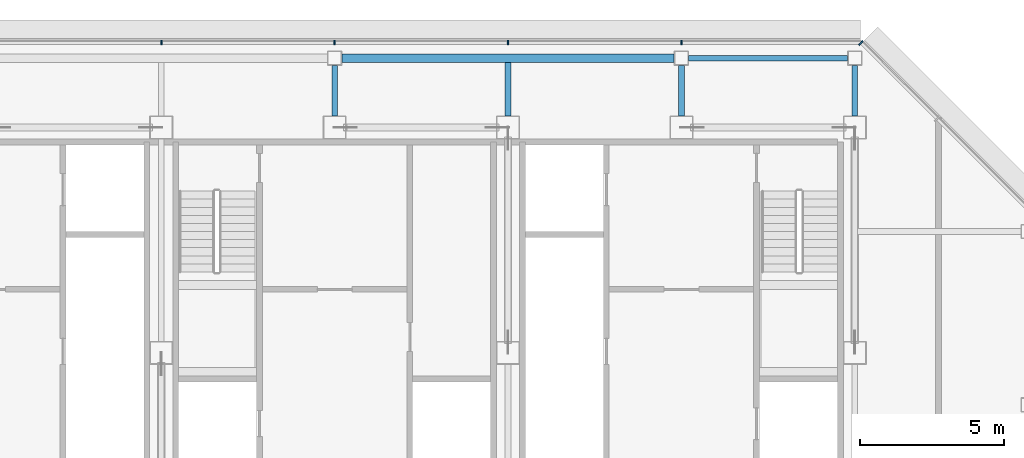
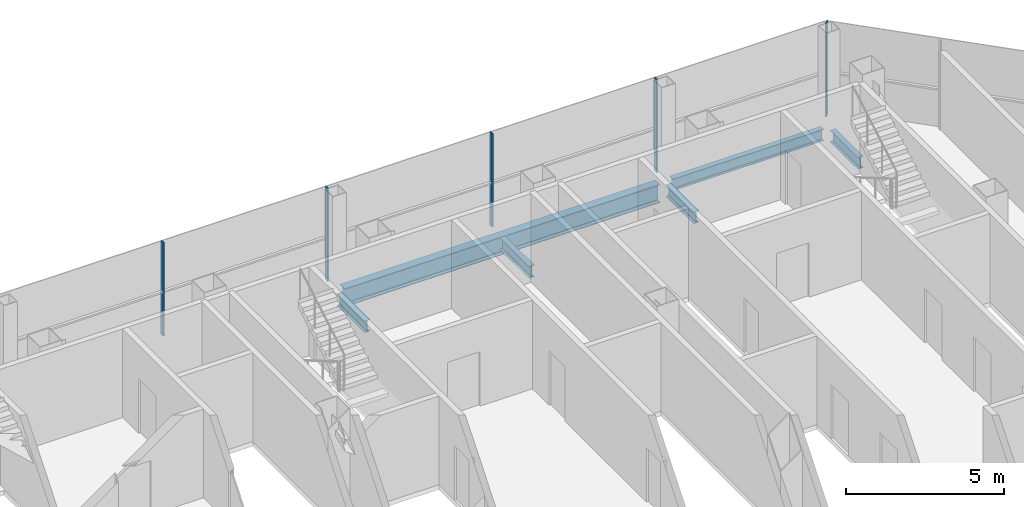
# One storey, part 16 of 27: 6 beams, 5 members, 2 elements without a shape of their own.
"""IFC4 building model written with IfcOpenShell, lengths in metres."""

from ifc_helpers import new_model, si_unit, direction, frame, origin, origin_2d, place, context, subcontext, project, spatial, rectangle, i_section, extrude, material, material_profile, profile_set, type_object, element, aggregate, save


model = new_model("IFC4")

# Units and contexts
model_context = context("Model", 3, precision=1e-05, world=origin(), true_north=direction((0.0, 1.0)))
body_context = subcontext(model_context, "Body", "Model", "MODEL_VIEW")
ifc_project = project(units=[si_unit("LENGTHUNIT", "METRE"), si_unit("AREAUNIT", "SQUARE_METRE"), si_unit("VOLUMEUNIT", "CUBIC_METRE"), si_unit("PLANEANGLEUNIT", "RADIAN"), si_unit("MASSUNIT", "GRAM", prefix="KILO")], contexts=[model_context])

# Site, building, storey
site_placement = place(None, origin())
site = spatial("IfcSite", under=ifc_project, at=site_placement, CompositionType="ELEMENT")
building_placement = place(site_placement, origin())
building = spatial("IfcBuilding", under=site, at=building_placement, Name="Sorahane Residences", CompositionType="ELEMENT")
storey_placement = place(building_placement, frame((0.0, 0.0, 323.199951171875)))
storey = spatial("IfcBuildingStorey", under=building, at=storey_placement, Name="L77", CompositionType="ELEMENT", Elevation=323.199951171875)

# Curtain wall, members
ifc_material_1 = material(Name="Dark low-e glass and black anodised aluminium", Category="aluminium")
curtain_wall_type_1 = type_object("IfcCurtainWallType", Name="Curtain wall CW-1 Typical unitised wall", PredefinedType="NOTDEFINED", material=ifc_material_1)
curtain_wall_1_placement = place(storey_placement, origin())
curtain_wall_1 = element("IfcCurtainWall", 1, at=curtain_wall_1_placement, inside=storey, type_object=curtain_wall_type_1, Name="CW-1 curtain wall L77 N1", PredefinedType="NOTDEFINED")
ifc_material_2 = material(Name="Black anodised aluminium", Category="aluminium")
ifc_material_profile_1 = material_profile(ifc_material_2, rectangle(XDim=0.159912109375, YDim=0.050048828125, at=origin_2d()), Name="Curtain wall mullion CW-1 black anodised aluminium 50x160")
ifc_profile_set_1 = profile_set([ifc_material_profile_1], Name="Black anodised aluminium")
member_type_1 = type_object("IfcMemberType", Name="Curtain wall mullion CW-1 black anodised aluminium 50x160", PredefinedType="MULLION", material=ifc_profile_set_1)
member_1_placement = place(storey_placement, frame((36.0, 48.5400390625, -0.179931640625), z_axis=(0.0, 0.0, 1.0), x_axis=(0.0, 1.0, 0.0)))
member_1 = element("IfcMember", 2, at=member_1_placement, type_object=member_type_1, Name="CW-1 mullion L77 N1.2", PredefinedType="MULLION", context=body_context, shape_type="SweptSolid", body=[
    extrude(rectangle(XDim=0.159912109375, YDim=0.050048828125, at=origin_2d()), origin(), (0.0, 0.0, 1.0), 3.60009765625),
])
member_2_placement = place(storey_placement, frame((30.0, 48.5400390625, -0.179931640625), z_axis=(0.0, 0.0, 1.0), x_axis=(0.0, 1.0, 0.0)))
member_2 = element("IfcMember", 3, at=member_2_placement, type_object=member_type_1, Name="CW-1 mullion L77 N1.3", PredefinedType="MULLION", context=body_context, shape_type="SweptSolid", body=[
    extrude(rectangle(XDim=0.159912109375, YDim=0.050048828125, at=origin_2d()), origin(), (0.0, 0.0, 1.0), 3.60009765625),
])
member_3_placement = place(storey_placement, frame((24.0, 48.5400390625, -0.179931640625), z_axis=(0.0, 0.0, 1.0), x_axis=(0.0, 1.0, 0.0)))
member_3 = element("IfcMember", 4, at=member_3_placement, type_object=member_type_1, Name="CW-1 mullion L77 N1.4", PredefinedType="MULLION", context=body_context, shape_type="SweptSolid", body=[
    extrude(rectangle(XDim=0.159912109375, YDim=0.050048828125, at=origin_2d()), origin(), (0.0, 0.0, 1.0), 3.60009765625),
])
member_4_placement = place(storey_placement, frame((18.0, 48.5400390625, -0.179931640625), z_axis=(0.0, 0.0, 1.0), x_axis=(0.0, 1.0, 0.0)))
member_4 = element("IfcMember", 5, at=member_4_placement, type_object=member_type_1, Name="CW-1 mullion L77 N1.5", PredefinedType="MULLION", context=body_context, shape_type="SweptSolid", body=[
    extrude(rectangle(XDim=0.159912109375, YDim=0.050048828125, at=origin_2d()), origin(), (0.0, 0.0, 1.0), 3.60009765625),
])
aggregate(curtain_wall_1, [member_1, member_2, member_3, member_4])

# Curtain wall, member
ifc_material_3 = material(Name="Dark low-e glass and black anodised aluminium", Category="aluminium")
curtain_wall_type_2 = type_object("IfcCurtainWallType", Name="Curtain wall CW-2 Chamfer unitised wall", PredefinedType="NOTDEFINED", material=ifc_material_3)
curtain_wall_2_placement = place(storey_placement, origin())
curtain_wall_2 = element("IfcCurtainWall", 6, at=curtain_wall_2_placement, inside=storey, type_object=curtain_wall_type_2, Name="CW-2 curtain wall L77 NE1", PredefinedType="NOTDEFINED")
ifc_material_4 = material(Name="Black anodised aluminium", Category="aluminium")
ifc_material_profile_2 = material_profile(ifc_material_4, rectangle(XDim=0.199951171875, YDim=0.050048828125, at=origin_2d()), Name="Curtain wall mullion CW-2 black anodised aluminium 50x200")
ifc_profile_set_2 = profile_set([ifc_material_profile_2], Name="Black anodised aluminium")
member_type_2 = type_object("IfcMemberType", Name="Curtain wall mullion CW-2 black anodised aluminium 50x200", PredefinedType="MULLION", material=ifc_profile_set_2)
member_5_placement = place(storey_placement, frame((42.209716796875, 48.525634765625, -0.179931640625), z_axis=(0.0, 0.0, 1.0), x_axis=(0.707106781187, 0.707106781187, 0.0)))
member_5 = element("IfcMember", 7, at=member_5_placement, type_object=member_type_2, Name="CW-2 mullion L77 NE1.3", PredefinedType="MULLION", context=body_context, shape_type="SweptSolid", body=[
    extrude(rectangle(XDim=0.199951171875, YDim=0.050048828125, at=origin_2d()), origin(), (0.0, 0.0, 1.0), 3.60009765625),
])
aggregate(curtain_wall_2, [member_5])

# Beams
ifc_material_5 = material(Name="Steel Q355B", Category="steel")
ifc_material_profile_3 = material_profile(ifc_material_5, i_section(OverallWidth=0.199951171875, OverallDepth=0.449951171875, WebThickness=0.009033203125, FlangeThickness=0.013916015625, FilletRadius=0.02001953125, at=origin_2d()), Name="HN 450x200x9x14")
ifc_profile_set_3 = profile_set([ifc_material_profile_3], Name="Steel Q355B")
beam_type_1 = type_object("IfcBeamType", Name="Steel floor beam HN 450x200x9x14 Q355B", PredefinedType="BEAM", material=ifc_profile_set_3)
beam_1_placement = place(storey_placement, frame((36.25, 48.0, -0.405029296875), z_axis=(1.0, 0.0, 0.0), x_axis=(0.0, 1.0, 0.0)))
element("IfcBeam", 8, at=beam_1_placement, inside=storey, type_object=beam_type_1, Name="Beam L77 019", PredefinedType="BEAM", context=body_context, shape_type="SweptSolid", body=[
    extrude(i_section(OverallWidth=0.199951171875, OverallDepth=0.449951171875, WebThickness=0.009033203125, FlangeThickness=0.013916015625, FilletRadius=0.02001953125, at=origin_2d()), origin(), (0.0, 0.0, 1.0), 5.5),
])
beam_2_placement = place(storey_placement, frame((24.0, 46.0, -0.405029296875), z_axis=(0.0, 1.0, 0.0), x_axis=(-1.0, 0.0, 0.0)))
element("IfcBeam", 9, at=beam_2_placement, inside=storey, type_object=beam_type_1, Name="Beam L77 047", PredefinedType="BEAM", context=body_context, shape_type="SweptSolid", body=[
    extrude(i_section(OverallWidth=0.199951171875, OverallDepth=0.449951171875, WebThickness=0.009033203125, FlangeThickness=0.013916015625, FilletRadius=0.02001953125, at=origin_2d()), origin(), (0.0, 0.0, 1.0), 1.75),
])
beam_3_placement = place(storey_placement, frame((30.0, 46.0, -0.405029296875), z_axis=(0.0, 1.0, 0.0), x_axis=(-1.0, 0.0, 0.0)))
element("IfcBeam", 10, at=beam_3_placement, inside=storey, type_object=beam_type_1, Name="Beam L77 053", PredefinedType="BEAM", context=body_context, shape_type="SweptSolid", body=[
    extrude(i_section(OverallWidth=0.199951171875, OverallDepth=0.449951171875, WebThickness=0.009033203125, FlangeThickness=0.013916015625, FilletRadius=0.02001953125, at=origin_2d()), origin(), (0.0, 0.0, 1.0), 1.85009765625),
])
for number, where, z_axis, x_axis, name in (
    (11, (36.0, 46.0, -0.405029296875), (0.0, 1.0, 0.0), (-1.0, 0.0, 0.0), "Beam L77 055"),
    (12, (42.0, 46.0, -0.405029296875), (0.0, 1.0, 0.0), (-1.0, 0.0, 0.0), "Beam L77 061"),
):
    element("IfcBeam", number, at=place(storey_placement, frame(where, z_axis=z_axis, x_axis=x_axis)), inside=storey, type_object=beam_type_1, Name=name, PredefinedType="BEAM", context=body_context, shape_type="SweptSolid", body=[
        extrude(i_section(OverallWidth=0.199951171875, OverallDepth=0.449951171875, WebThickness=0.009033203125, FlangeThickness=0.013916015625, FilletRadius=0.02001953125, at=origin_2d()), origin(), (0.0, 0.0, 1.0), 1.75),
    ])
ifc_material_6 = material(Name="Steel Q355B", Category="steel")
ifc_material_profile_4 = material_profile(ifc_material_6, i_section(OverallWidth=0.300048828125, OverallDepth=0.699951171875, WebThickness=0.012939453125, FlangeThickness=0.02392578125, FilletRadius=0.028076171875, at=origin_2d()), Name="HN 700x300x13x24")
ifc_profile_set_4 = profile_set([ifc_material_profile_4], Name="Steel Q355B")
beam_type_2 = type_object("IfcBeamType", Name="Steel floor beam HN 700x300x13x24 Q355B", PredefinedType="BEAM", material=ifc_profile_set_4)
beam_4_placement = place(storey_placement, frame((24.25, 48.0, -0.530029296875), z_axis=(1.0, 0.0, 0.0), x_axis=(0.0, 1.0, 0.0)))
element("IfcBeam", 13, at=beam_4_placement, inside=storey, type_object=beam_type_2, Name="Beam L77 018", PredefinedType="BEAM", context=body_context, shape_type="SweptSolid", body=[
    extrude(i_section(OverallWidth=0.300048828125, OverallDepth=0.699951171875, WebThickness=0.012939453125, FlangeThickness=0.02392578125, FilletRadius=0.028076171875, at=origin_2d()), origin(), (0.0, 0.0, 1.0), 11.5),
])

save(model, "model.ifc")
